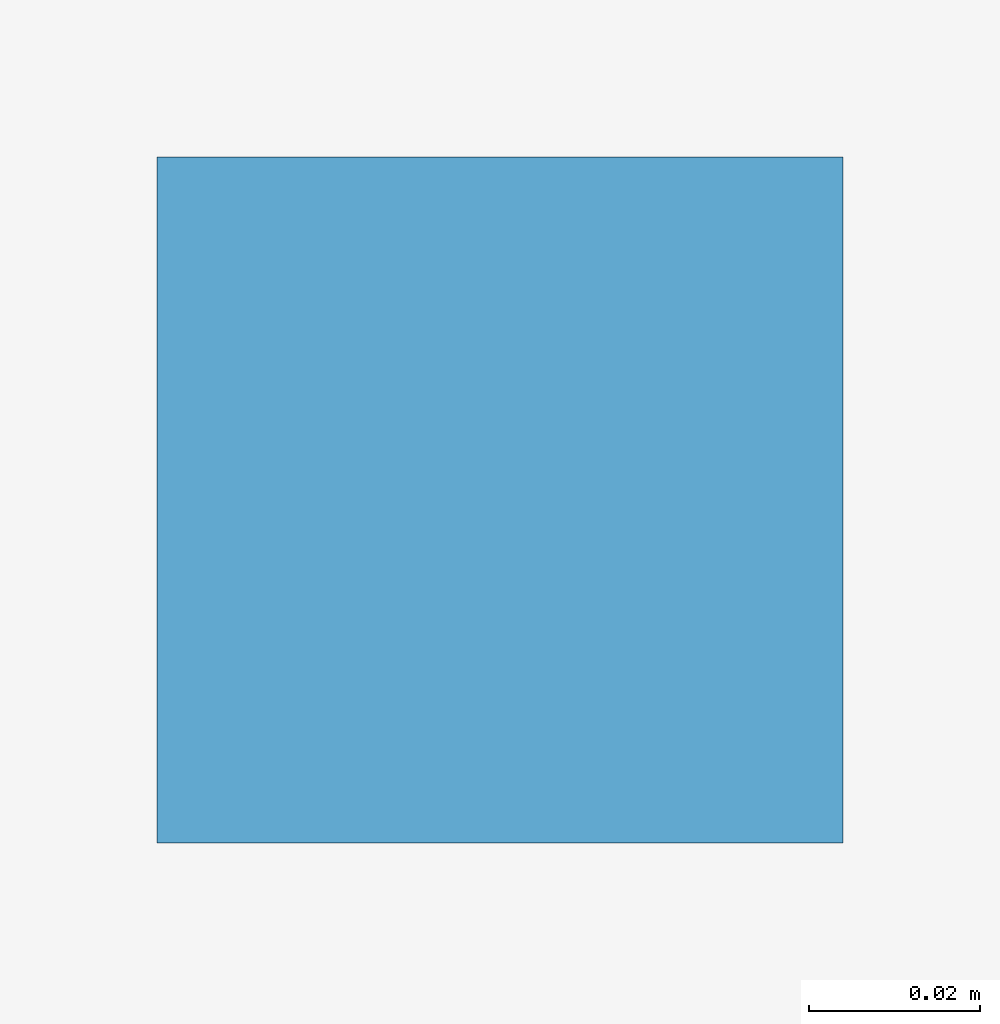
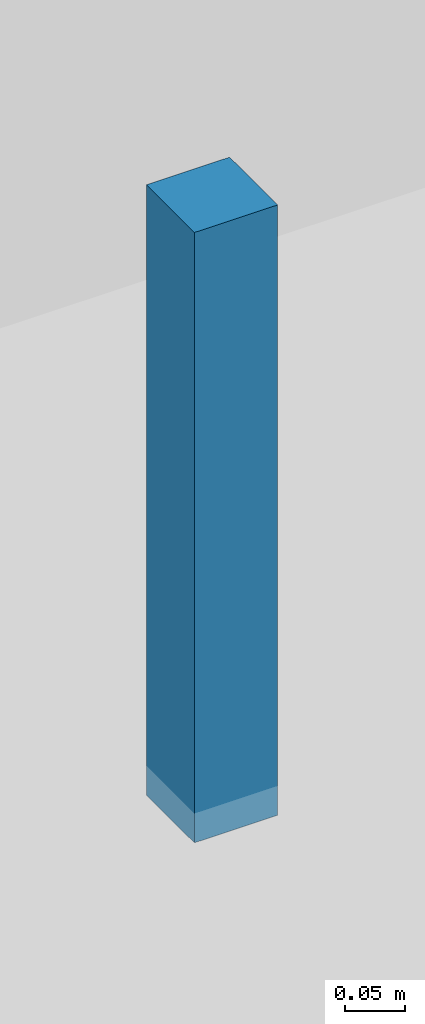
# One storey, part 12 of 17: 1 discrete accessory.
"""IFC4 building model written with IfcOpenShell, lengths in metres."""

import ifcopenshell
import ifcopenshell.guid

model = None  # the IFC model being written
_history = None  # IfcOwnerHistory: only IFC2X3 demands one
_inside = {}  # id of a spatial element -> (the spatial element, [elements in it])
_under = {}  # id of a project, library or spatial element -> (it, [spatial elements below it])
_declared = {}  # id of a project -> (the project, [libraries it declares])
_typed = {}  # id of a type object -> (the type object, [elements of that type])
_made_of = {}  # id of a material, layer set ... -> (it, [elements and type objects made of it])


def new_model(schema):
    """Start an empty IFC model of exactly this schema.

    Asked for "IFC4X3", IfcOpenShell would pick the latest addendum, in which some entities
    have other attributes; the version numbers below select the first issue.
    IFC2X3 requires an IfcOwnerHistory on every rooted entity: one is made here for all.
    """
    global model, _history
    if schema == "IFC4X3":
        model = ifcopenshell.file(schema_version=(4, 3, 0, 0))
    else:
        model = ifcopenshell.file(schema=schema)
    _inside.clear()
    _under.clear()
    _declared.clear()
    _typed.clear()
    _made_of.clear()
    _history = None
    if model.schema == "IFC2X3":
        org = make("IfcOrganization", Name="unknown")
        user = make(
            "IfcPersonAndOrganization",
            ThePerson=make("IfcPerson", FamilyName="unknown"),
            TheOrganization=org,
        )
        app = make(
            "IfcApplication",
            ApplicationDeveloper=org,
            Version="unknown",
            ApplicationFullName="unknown",
            ApplicationIdentifier="unknown",
        )
        _history = make(
            "IfcOwnerHistory",
            OwningUser=user,
            OwningApplication=app,
            ChangeAction="ADDED",
            CreationDate=0,
        )
    return model


def make(cls, **values):
    """One entity of the class cls with the attributes given. An attribute that is None is left unset."""
    return model.create_entity(
        cls, **{name: value for name, value in values.items() if value is not None}
    )


def rooted(cls, **values):
    """An entity with a GlobalId (a new one), such as an element, a storey or a relation."""
    return make(cls, GlobalId=ifcopenshell.guid.new(), OwnerHistory=_history, **values)


def si_unit(unit_type, name, prefix=None):
    """IfcSIUnit, for example si_unit("LENGTHUNIT", "METRE", prefix="MILLI")."""
    return make("IfcSIUnit", UnitType=unit_type, Prefix=prefix, Name=name)


def assignment(units):
    """IfcUnitAssignment: the units of a project."""
    return None if units is None else make("IfcUnitAssignment", Units=units)


def point(xyz):
    """IfcCartesianPoint."""
    return None if xyz is None else make("IfcCartesianPoint", Coordinates=xyz)


def direction(xyz):
    """IfcDirection."""
    return None if xyz is None else make("IfcDirection", DirectionRatios=xyz)


def frame(location, z_axis=None, x_axis=None):
    """IfcAxis2Placement3D, a coordinate frame: its origin and axes. An axis left out is left unset."""
    return make(
        "IfcAxis2Placement3D",
        Location=point(location),
        Axis=direction(z_axis),
        RefDirection=direction(x_axis),
    )


def frame_2d(location, x_axis=None):
    """IfcAxis2Placement2D, a coordinate frame in the plane: its origin and x axis."""
    return make(
        "IfcAxis2Placement2D", Location=point(location), RefDirection=direction(x_axis)
    )


def origin():
    """The frame at (0, 0, 0) with its axes left unset."""
    return frame((0.0, 0.0, 0.0))


def origin_2d():
    """The frame at (0, 0) in the plane with its x axis left unset."""
    return frame_2d((0.0, 0.0))


def place(relative_to, where):
    """IfcLocalPlacement: puts the frame where relative to a parent placement (None: the world)."""
    return make(
        "IfcLocalPlacement", PlacementRelTo=relative_to, RelativePlacement=where
    )


def context(
    kind, dimensions, precision=None, world=None, true_north=None, identifier=None
):
    """IfcGeometricRepresentationContext, for example the 3D "Model" context."""
    return make(
        "IfcGeometricRepresentationContext",
        ContextIdentifier=identifier,
        ContextType=kind,
        CoordinateSpaceDimension=dimensions,
        Precision=precision,
        WorldCoordinateSystem=world,
        TrueNorth=true_north,
    )


def subcontext(parent, identifier, kind, view, scale=None):
    """IfcGeometricRepresentationSubContext, for example "Body" below "Model"."""
    return make(
        "IfcGeometricRepresentationSubContext",
        ContextIdentifier=identifier,
        ContextType=kind,
        ParentContext=parent,
        TargetScale=scale,
        TargetView=view,
    )


def project(units=None, contexts=None):
    """IfcProject with its units and contexts."""
    return rooted(
        "IfcProject",
        Name="project",
        RepresentationContexts=contexts,
        UnitsInContext=assignment(units),
    )


def spatial(cls, under=None, at=None, **own):
    """A site, building, storey or space (cls), placed at a placement, below another one or the project."""
    s = rooted(cls, ObjectPlacement=at, **own)
    if under is not None:
        _under.setdefault(under.id(), (under, []))[1].append(s)
    return s


def profile(cls, at=None, kind="AREA", **sizes):
    """A parametric profile (cls). Its sizes go by their IFC names, for example OverallWidth=200.0."""
    return make(cls, ProfileType=kind, Position=at, **sizes)


def rectangle(**sizes):
    """IfcRectangleProfileDef."""
    return profile("IfcRectangleProfileDef", **sizes)


def extrude(swept, where, along, depth):
    """IfcExtrudedAreaSolid: the profile swept, set in the frame where, extruded along a direction by depth."""
    return make(
        "IfcExtrudedAreaSolid",
        SweptArea=swept,
        Position=where,
        ExtrudedDirection=direction(along),
        Depth=depth,
    )


def shape(context_of_items, identifier, shape_type, items):
    """IfcShapeRepresentation: the items that make up one representation, for example the "Body"."""
    return make(
        "IfcShapeRepresentation",
        ContextOfItems=context_of_items,
        RepresentationIdentifier=identifier,
        RepresentationType=shape_type,
        Items=items,
    )


def source(mapping_origin, context_of_items, identifier, shape_type, items):
    """IfcRepresentationMap: a shape defined once, which mapped items show again and again."""
    return make(
        "IfcRepresentationMap",
        MappingOrigin=mapping_origin,
        MappedRepresentation=shape(context_of_items, identifier, shape_type, items),
    )


def transform(
    local_origin,
    x_axis=None,
    y_axis=None,
    z_axis=None,
    scale=None,
    scale2=None,
    scale3=None,
    uniform=True,
):
    """IfcCartesianTransformationOperator3D, or its non-uniform kind. x_axis, y_axis, z_axis: its Axis1, 2, 3."""
    if uniform:
        return make(
            "IfcCartesianTransformationOperator3D",
            Axis1=direction(x_axis),
            Axis2=direction(y_axis),
            LocalOrigin=point(local_origin),
            Scale=scale,
            Axis3=direction(z_axis),
        )
    return make(
        "IfcCartesianTransformationOperator3DnonUniform",
        Axis1=direction(x_axis),
        Axis2=direction(y_axis),
        LocalOrigin=point(local_origin),
        Scale=scale,
        Axis3=direction(z_axis),
        Scale2=scale2,
        Scale3=scale3,
    )


def mapped(mapping_source, mapping_target):
    """IfcMappedItem: shows the shape of a source again, moved by a transform."""
    return make(
        "IfcMappedItem", MappingSource=mapping_source, MappingTarget=mapping_target
    )


def material(Name=None, Category=None):
    """IfcMaterial."""
    return make("IfcMaterial", Name=Name, Category=Category)


def made_of(thing, what):
    """Note that an element or type object is made of a material, layer set ...; save() writes the relation."""
    if what is not None:
        _made_of.setdefault(what.id(), (what, []))[1].append(thing)
    return thing


def type_object(cls, material=None, **own):
    """A type object (cls), such as IfcWallType, which elements share."""
    return made_of(rooted(cls, **own), material)


def element(
    cls,
    number,
    at=None,
    inside=None,
    cuts=None,
    type_object=None,
    material=None,
    context=None,
    identifier="Body",
    shape_type=None,
    held_by="IfcProductDefinitionShape",
    body=None,
    shapes=None,
    **own,
):
    """One element of the class cls, such as IfcWall. Its Tag is "e" and its number.

    at: its placement. inside: the storey or other place that contains it. cuts: it is an
    opening in that element (IfcRelVoidsElement). A single representation is given by context,
    identifier, shape_type and body (its items); several are given by shapes. held_by: the class
    of the entity that holds the representations. save() writes the other relations.
    """
    e = rooted(cls, Tag="e%d" % number, ObjectPlacement=at, **own)
    if body is not None:
        shapes = [shape(context, identifier, shape_type, body)]
    if shapes is not None:
        e.Representation = make(held_by, Representations=shapes)
    if inside is not None:
        _inside.setdefault(inside.id(), (inside, []))[1].append(e)
    if cuts is not None:
        rooted(
            "IfcRelVoidsElement", RelatingBuildingElement=cuts, RelatedOpeningElement=e
        )
    if type_object is not None:
        _typed.setdefault(type_object.id(), (type_object, []))[1].append(e)
    return made_of(e, material)


def aggregate(whole, parts):
    """IfcRelAggregates: a whole, such as a stair, and the parts it consists of."""
    return rooted("IfcRelAggregates", RelatingObject=whole, RelatedObjects=parts)


def save(model, path):
    """Write the relations noted so far, then the file.

    IfcRelAggregates (storeys below a building ...), IfcRelContainedInSpatialStructure (elements
    in a storey), IfcRelDefinesByType, IfcRelAssociatesMaterial and IfcRelDeclares: one each for
    every whole, place, type object, material and project.
    """
    for whole, parts in _under.values():
        aggregate(whole, parts)
    for where, things in _inside.values():
        rooted(
            "IfcRelContainedInSpatialStructure",
            RelatedElements=things,
            RelatingStructure=where,
        )
    for kind, things in _typed.values():
        rooted("IfcRelDefinesByType", RelatedObjects=things, RelatingType=kind)
    for what, things in _made_of.values():
        rooted("IfcRelAssociatesMaterial", RelatedObjects=things, RelatingMaterial=what)
    for by, libraries in _declared.values():
        rooted("IfcRelDeclares", RelatingContext=by, RelatedDefinitions=libraries)
    model.write(path)


model = new_model("IFC4")

# Units and contexts
model_context = context("Model", 3, precision=1e-05, world=origin(), true_north=direction((0.0, 1.0)))
body_context = subcontext(model_context, "Body", "Model", "MODEL_VIEW")
ifc_project = project(units=[si_unit("LENGTHUNIT", "METRE"), si_unit("AREAUNIT", "SQUARE_METRE"), si_unit("VOLUMEUNIT", "CUBIC_METRE"), si_unit("PLANEANGLEUNIT", "RADIAN"), si_unit("MASSUNIT", "GRAM", prefix="KILO")], contexts=[model_context])

# Site, building, storey
site_placement = place(None, origin())
site = spatial("IfcSite", under=ifc_project, at=site_placement, CompositionType="ELEMENT")
building_placement = place(site_placement, origin())
building = spatial("IfcBuilding", under=site, at=building_placement, Name="Giltprow Tower", CompositionType="ELEMENT")
storey_placement = place(building_placement, frame((0.0, 0.0, 141.199951171875)))
storey = spatial("IfcBuildingStorey", under=building, at=storey_placement, Name="L34", CompositionType="ELEMENT", Elevation=141.199951171875)

# Discrete accessory
ifc_material = material(Name="Structural steel Q355B", Category="steel")
discrete_accessory_type = type_object("IfcDiscreteAccessoryType", Name="ACC-CLG-HANGER", PredefinedType="BRACKET", material=ifc_material)
shared_shape = source(origin(), body_context, "Body", "SweptSolid", [
    extrude(rectangle(XDim=0.080078125, YDim=0.080078125, at=origin_2d()), origin(), (0.0, 0.0, 1.0), 0.6201171875),
])
discrete_accessory_placement = place(storey_placement, frame((35.0, 36.199951171875, 2.619873046875), z_axis=(0.0, 0.0, 1.0), x_axis=(1.0, 0.0, 0.0)))
element("IfcDiscreteAccessory", 1, at=discrete_accessory_placement, inside=storey, type_object=discrete_accessory_type, Name="L34 Hotel Corridor Gypsum Ceiling Suspension Hanger", PredefinedType="BRACKET", context=body_context, shape_type="MappedRepresentation", body=[
    mapped(shared_shape, transform((0.0, 0.0, 0.0), x_axis=(1.0, 0.0, 0.0), y_axis=(0.0, 1.0, 0.0), z_axis=(0.0, 0.0, 1.0), scale=1.0)),
])

save(model, "model.ifc")
